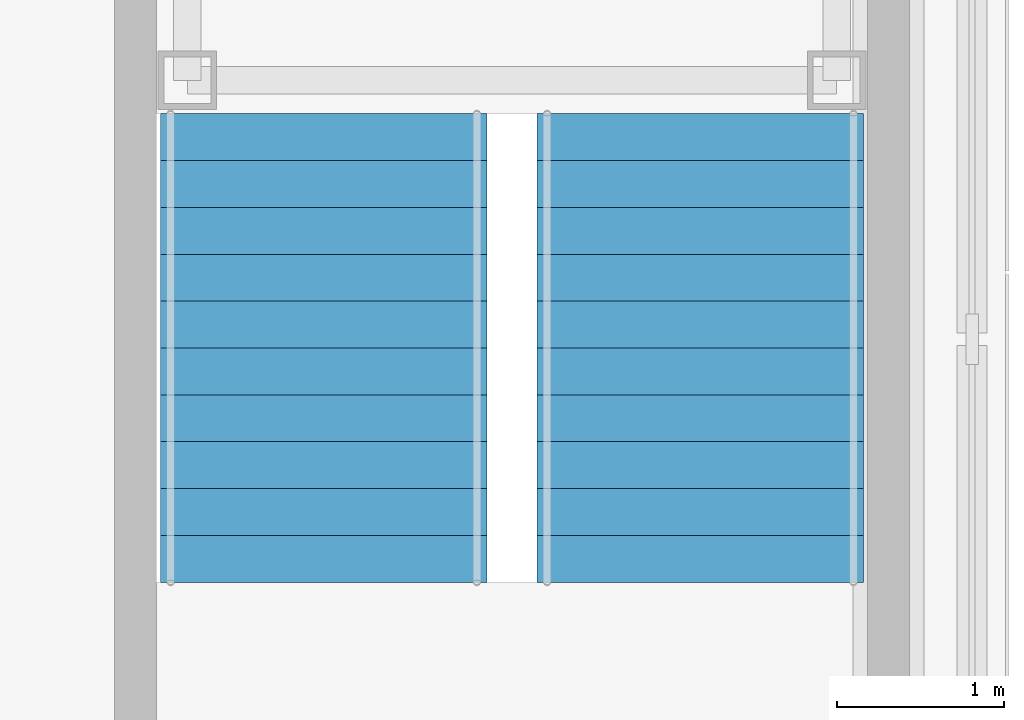
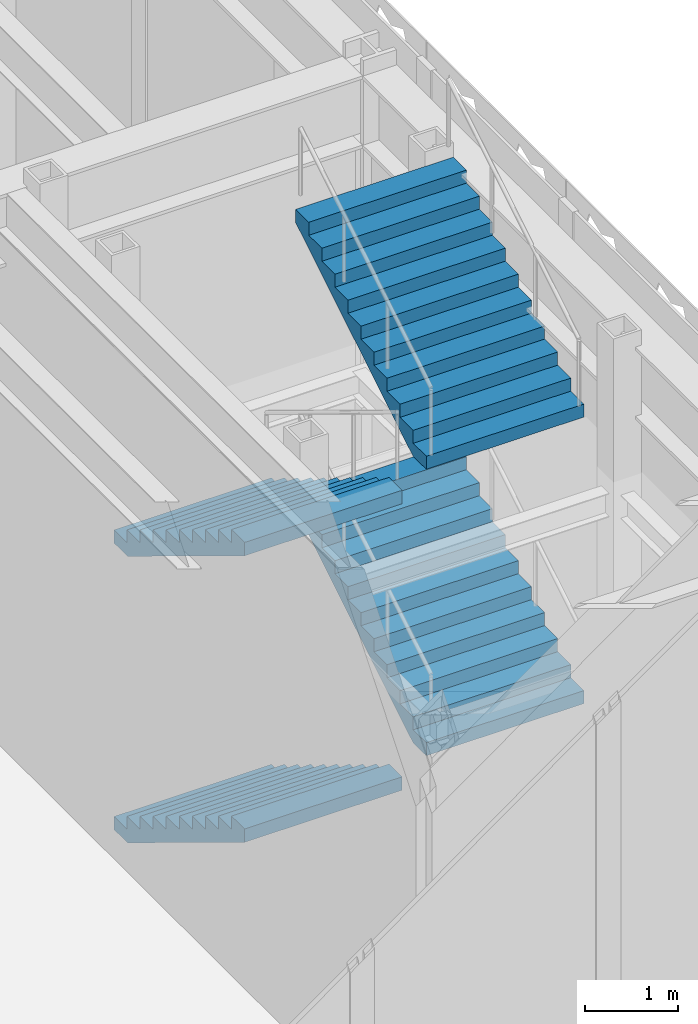
# One storey, part 19 of 34: 4 stair flights, 1 element without a shape of its own.
"""IFC4 building model written with IfcOpenShell, lengths in metres."""

import ifcopenshell
import ifcopenshell.guid

model = None  # the IFC model being written
_history = None  # IfcOwnerHistory: only IFC2X3 demands one
_inside = {}  # id of a spatial element -> (the spatial element, [elements in it])
_under = {}  # id of a project, library or spatial element -> (it, [spatial elements below it])
_declared = {}  # id of a project -> (the project, [libraries it declares])
_typed = {}  # id of a type object -> (the type object, [elements of that type])
_made_of = {}  # id of a material, layer set ... -> (it, [elements and type objects made of it])


def new_model(schema):
    """Start an empty IFC model of exactly this schema.

    Asked for "IFC4X3", IfcOpenShell would pick the latest addendum, in which some entities
    have other attributes; the version numbers below select the first issue.
    IFC2X3 requires an IfcOwnerHistory on every rooted entity: one is made here for all.
    """
    global model, _history
    if schema == "IFC4X3":
        model = ifcopenshell.file(schema_version=(4, 3, 0, 0))
    else:
        model = ifcopenshell.file(schema=schema)
    _inside.clear()
    _under.clear()
    _declared.clear()
    _typed.clear()
    _made_of.clear()
    _history = None
    if model.schema == "IFC2X3":
        org = make("IfcOrganization", Name="unknown")
        user = make(
            "IfcPersonAndOrganization",
            ThePerson=make("IfcPerson", FamilyName="unknown"),
            TheOrganization=org,
        )
        app = make(
            "IfcApplication",
            ApplicationDeveloper=org,
            Version="unknown",
            ApplicationFullName="unknown",
            ApplicationIdentifier="unknown",
        )
        _history = make(
            "IfcOwnerHistory",
            OwningUser=user,
            OwningApplication=app,
            ChangeAction="ADDED",
            CreationDate=0,
        )
    return model


def make(cls, **values):
    """One entity of the class cls with the attributes given. An attribute that is None is left unset."""
    return model.create_entity(
        cls, **{name: value for name, value in values.items() if value is not None}
    )


def rooted(cls, **values):
    """An entity with a GlobalId (a new one), such as an element, a storey or a relation."""
    return make(cls, GlobalId=ifcopenshell.guid.new(), OwnerHistory=_history, **values)


def si_unit(unit_type, name, prefix=None):
    """IfcSIUnit, for example si_unit("LENGTHUNIT", "METRE", prefix="MILLI")."""
    return make("IfcSIUnit", UnitType=unit_type, Prefix=prefix, Name=name)


def assignment(units):
    """IfcUnitAssignment: the units of a project."""
    return None if units is None else make("IfcUnitAssignment", Units=units)


def point(xyz):
    """IfcCartesianPoint."""
    return None if xyz is None else make("IfcCartesianPoint", Coordinates=xyz)


def direction(xyz):
    """IfcDirection."""
    return None if xyz is None else make("IfcDirection", DirectionRatios=xyz)


def frame(location, z_axis=None, x_axis=None):
    """IfcAxis2Placement3D, a coordinate frame: its origin and axes. An axis left out is left unset."""
    return make(
        "IfcAxis2Placement3D",
        Location=point(location),
        Axis=direction(z_axis),
        RefDirection=direction(x_axis),
    )


def origin():
    """The frame at (0, 0, 0) with its axes left unset."""
    return frame((0.0, 0.0, 0.0))


def place(relative_to, where):
    """IfcLocalPlacement: puts the frame where relative to a parent placement (None: the world)."""
    return make(
        "IfcLocalPlacement", PlacementRelTo=relative_to, RelativePlacement=where
    )


def context(
    kind, dimensions, precision=None, world=None, true_north=None, identifier=None
):
    """IfcGeometricRepresentationContext, for example the 3D "Model" context."""
    return make(
        "IfcGeometricRepresentationContext",
        ContextIdentifier=identifier,
        ContextType=kind,
        CoordinateSpaceDimension=dimensions,
        Precision=precision,
        WorldCoordinateSystem=world,
        TrueNorth=true_north,
    )


def subcontext(parent, identifier, kind, view, scale=None):
    """IfcGeometricRepresentationSubContext, for example "Body" below "Model"."""
    return make(
        "IfcGeometricRepresentationSubContext",
        ContextIdentifier=identifier,
        ContextType=kind,
        ParentContext=parent,
        TargetScale=scale,
        TargetView=view,
    )


def project(units=None, contexts=None):
    """IfcProject with its units and contexts."""
    return rooted(
        "IfcProject",
        Name="project",
        RepresentationContexts=contexts,
        UnitsInContext=assignment(units),
    )


def spatial(cls, under=None, at=None, **own):
    """A site, building, storey or space (cls), placed at a placement, below another one or the project."""
    s = rooted(cls, ObjectPlacement=at, **own)
    if under is not None:
        _under.setdefault(under.id(), (under, []))[1].append(s)
    return s


def faces_of(points, faces, orient=None, outer=None):
    """IfcFace entities. A face is a list of loops; a loop is a list of indices into points, from 0.

    orient and outer hold one flag for each loop. By default every Orientation is true, the
    first loop of a face is its IfcFaceOuterBound and the others are IfcFaceBound.
    """
    made = []
    for i, loops in enumerate(faces):
        bounds = []
        for j, loop in enumerate(loops):
            is_outer = j == 0 if outer is None else outer[i][j]
            bounds.append(
                make(
                    "IfcFaceOuterBound" if is_outer else "IfcFaceBound",
                    Bound=make("IfcPolyLoop", Polygon=[points[k] for k in loop]),
                    Orientation=True if orient is None else orient[i][j],
                )
            )
        made.append(make("IfcFace", Bounds=bounds))
    return made


def faceted_brep(points, faces, orient=None, outer=None, voids=None):
    """IfcFacetedBrep: a solid bounded by flat faces; with voids (closed shells), ...WithVoids."""
    shared = [point(p) for p in points]
    hull = make("IfcClosedShell", CfsFaces=faces_of(shared, faces, orient, outer))
    if voids is None:
        return make("IfcFacetedBrep", Outer=hull)
    return make(
        "IfcFacetedBrepWithVoids",
        Outer=hull,
        Voids=[
            make(cls, CfsFaces=faces_of(shared, fs, o, b)) for cls, fs, o, b in voids
        ],
    )


def shape(context_of_items, identifier, shape_type, items):
    """IfcShapeRepresentation: the items that make up one representation, for example the "Body"."""
    return make(
        "IfcShapeRepresentation",
        ContextOfItems=context_of_items,
        RepresentationIdentifier=identifier,
        RepresentationType=shape_type,
        Items=items,
    )


def material(Name=None, Category=None):
    """IfcMaterial."""
    return make("IfcMaterial", Name=Name, Category=Category)


def made_of(thing, what):
    """Note that an element or type object is made of a material, layer set ...; save() writes the relation."""
    if what is not None:
        _made_of.setdefault(what.id(), (what, []))[1].append(thing)
    return thing


def type_object(cls, material=None, **own):
    """A type object (cls), such as IfcWallType, which elements share."""
    return made_of(rooted(cls, **own), material)


def element(
    cls,
    number,
    at=None,
    inside=None,
    cuts=None,
    type_object=None,
    material=None,
    context=None,
    identifier="Body",
    shape_type=None,
    held_by="IfcProductDefinitionShape",
    body=None,
    shapes=None,
    **own,
):
    """One element of the class cls, such as IfcWall. Its Tag is "e" and its number.

    at: its placement. inside: the storey or other place that contains it. cuts: it is an
    opening in that element (IfcRelVoidsElement). A single representation is given by context,
    identifier, shape_type and body (its items); several are given by shapes. held_by: the class
    of the entity that holds the representations. save() writes the other relations.
    """
    e = rooted(cls, Tag="e%d" % number, ObjectPlacement=at, **own)
    if body is not None:
        shapes = [shape(context, identifier, shape_type, body)]
    if shapes is not None:
        e.Representation = make(held_by, Representations=shapes)
    if inside is not None:
        _inside.setdefault(inside.id(), (inside, []))[1].append(e)
    if cuts is not None:
        rooted(
            "IfcRelVoidsElement", RelatingBuildingElement=cuts, RelatedOpeningElement=e
        )
    if type_object is not None:
        _typed.setdefault(type_object.id(), (type_object, []))[1].append(e)
    return made_of(e, material)


def aggregate(whole, parts):
    """IfcRelAggregates: a whole, such as a stair, and the parts it consists of."""
    return rooted("IfcRelAggregates", RelatingObject=whole, RelatedObjects=parts)


def save(model, path):
    """Write the relations noted so far, then the file.

    IfcRelAggregates (storeys below a building ...), IfcRelContainedInSpatialStructure (elements
    in a storey), IfcRelDefinesByType, IfcRelAssociatesMaterial and IfcRelDeclares: one each for
    every whole, place, type object, material and project.
    """
    for whole, parts in _under.values():
        aggregate(whole, parts)
    for where, things in _inside.values():
        rooted(
            "IfcRelContainedInSpatialStructure",
            RelatedElements=things,
            RelatingStructure=where,
        )
    for kind, things in _typed.values():
        rooted("IfcRelDefinesByType", RelatedObjects=things, RelatingType=kind)
    for what, things in _made_of.values():
        rooted("IfcRelAssociatesMaterial", RelatedObjects=things, RelatingMaterial=what)
    for by, libraries in _declared.values():
        rooted("IfcRelDeclares", RelatingContext=by, RelatedDefinitions=libraries)
    model.write(path)


model = new_model("IFC4")

# Units and contexts
model_context = context("Model", 3, precision=1e-05, world=origin(), true_north=direction((0.0, 1.0)))
body_context = subcontext(model_context, "Body", "Model", "MODEL_VIEW")
ifc_project = project(units=[si_unit("LENGTHUNIT", "METRE"), si_unit("AREAUNIT", "SQUARE_METRE"), si_unit("VOLUMEUNIT", "CUBIC_METRE"), si_unit("PLANEANGLEUNIT", "RADIAN"), si_unit("MASSUNIT", "GRAM", prefix="KILO")], contexts=[model_context])

# Site, building, storey
site_placement = place(None, origin())
site = spatial("IfcSite", under=ifc_project, at=site_placement, CompositionType="ELEMENT")
building_placement = place(site_placement, origin())
building = spatial("IfcBuilding", under=site, at=building_placement, Name="Chuquiago Exchange Tower", CompositionType="ELEMENT")
storey_placement = place(building_placement, frame((0.0, 0.0, 6.0)))
storey = spatial("IfcBuildingStorey", under=building, at=storey_placement, Name="L01", CompositionType="ELEMENT", Elevation=6.0)

# Stair, stair flights
ifc_material_1 = material(Name="Concrete C30/37, precast", Category="concrete")
stair_type = type_object("IfcStairType", Name="PS2 double half-turn stair 7500", PredefinedType="DOUBLE_RETURN_STAIR", material=ifc_material_1)
stair_placement = place(storey_placement, origin())
stair = element("IfcStair", 1, at=stair_placement, inside=storey, type_object=stair_type, Name="Stair PS2 L01", PredefinedType="DOUBLE_RETURN_STAIR")
ifc_material_2 = material(Name="Concrete C30/37, precast", Category="concrete")
stair_flight_type = type_object("IfcStairFlightType", Name="ST-F flight 1950 for 7500 storey", PredefinedType="STRAIGHT", material=ifc_material_2)
stair_flight_1_placement = place(storey_placement, frame((50.625, -11.050048828125, 0.0), z_axis=(0.0, 0.0, 1.0), x_axis=(0.0, -1.0, 0.0)))
stair_flight_1 = element("IfcStairFlight", 2, at=stair_flight_1_placement, type_object=stair_flight_type, Name="PS2 flight 1", NumberOfRisers=11, NumberOfTreads=10, PredefinedType="STRAIGHT", RiserHeight=0.170454545, TreadLength=0.28, context=body_context, shape_type="Brep", body=[
    faceted_brep([(0.0, 0.97509765625, 0.0), (0.0, 0.97509765625, 0.17041015625), (0.280029296875, 0.97509765625, 0.17041015625), (0.280029296875, 0.97509765625, 0.3408203125), (0.56005859375, 0.97509765625, 0.3408203125), (0.56005859375, 0.97509765625, 0.511474609375), (0.840087890625, 0.97509765625, 0.511474609375), (0.840087890625, 0.97509765625, 0.681884765625), (1.1201171875, 0.97509765625, 0.681884765625), (1.1201171875, 0.97509765625, 0.852294921875), (1.39990234375, 0.97509765625, 0.852294921875), (1.39990234375, 0.97509765625, 1.022705078125), (1.679931640625, 0.97509765625, 1.022705078125), (1.679931640625, 0.97509765625, 1.193115234375), (1.9599609375, 0.97509765625, 1.193115234375), (1.9599609375, 0.97509765625, 1.363525390625), (2.239990234375, 0.97509765625, 1.363525390625), (2.239990234375, 0.97509765625, 1.5341796875), (2.52001953125, 0.97509765625, 1.5341796875), (2.52001953125, 0.97509765625, 1.70458984375), (2.800048828125, 0.97509765625, 1.70458984375), (2.800048828125, 0.97509765625, 1.529052734375), (0.288330078125, 0.97509765625, 0.0), (0.288330078125, -0.97509765625, 0.0), (2.800048828125, -0.97509765625, 1.529052734375), (2.800048828125, -0.97509765625, 1.70458984375), (2.52001953125, -0.97509765625, 1.70458984375), (2.52001953125, -0.97509765625, 1.5341796875), (2.239990234375, -0.97509765625, 1.5341796875), (2.239990234375, -0.97509765625, 1.363525390625), (1.9599609375, -0.97509765625, 1.363525390625), (1.9599609375, -0.97509765625, 1.193115234375), (1.679931640625, -0.97509765625, 1.193115234375), (1.679931640625, -0.97509765625, 1.022705078125), (1.39990234375, -0.97509765625, 1.022705078125), (1.39990234375, -0.97509765625, 0.852294921875), (1.1201171875, -0.97509765625, 0.852294921875), (1.1201171875, -0.97509765625, 0.681884765625), (0.840087890625, -0.97509765625, 0.681884765625), (0.840087890625, -0.97509765625, 0.511474609375), (0.56005859375, -0.97509765625, 0.511474609375), (0.56005859375, -0.97509765625, 0.3408203125), (0.280029296875, -0.97509765625, 0.3408203125), (0.280029296875, -0.97509765625, 0.17041015625), (0.0, -0.97509765625, 0.17041015625), (0.0, -0.97509765625, 0.0), (0.0, 0.487548828125, 0.0), (0.0, 0.487548828125, 0.17041015625), (0.0, 0.0, 0.0), (0.0, 0.0, 0.17041015625), (0.0, -0.487548828125, 0.0), (0.0, -0.487548828125, 0.17041015625), (0.280029296875, 0.487548828125, 0.17041015625), (0.280029296875, 0.0, 0.17041015625), (0.280029296875, -0.487548828125, 0.17041015625), (0.280029296875, 0.487548828125, 0.3408203125), (0.280029296875, 0.0, 0.3408203125), (0.280029296875, -0.487548828125, 0.3408203125), (0.56005859375, 0.487548828125, 0.3408203125), (0.56005859375, 0.0, 0.3408203125), (0.56005859375, -0.487548828125, 0.3408203125), (0.56005859375, 0.487548828125, 0.511474609375), (0.56005859375, 0.0, 0.511474609375), (0.56005859375, -0.487548828125, 0.511474609375), (0.840087890625, 0.487548828125, 0.511474609375), (0.840087890625, 0.0, 0.511474609375), (0.840087890625, -0.487548828125, 0.511474609375), (0.840087890625, 0.487548828125, 0.681884765625), (0.840087890625, 0.0, 0.681884765625), (0.840087890625, -0.487548828125, 0.681884765625), (1.1201171875, 0.487548828125, 0.681884765625), (1.1201171875, 0.0, 0.681884765625), (1.1201171875, -0.487548828125, 0.681884765625), (1.1201171875, 0.487548828125, 0.852294921875), (1.1201171875, 0.0, 0.852294921875), (1.1201171875, -0.487548828125, 0.852294921875), (1.39990234375, 0.487548828125, 0.852294921875), (1.39990234375, 0.0, 0.852294921875), (1.39990234375, -0.487548828125, 0.852294921875), (1.39990234375, 0.487548828125, 1.022705078125), (1.39990234375, 0.0, 1.022705078125), (1.39990234375, -0.487548828125, 1.022705078125), (1.679931640625, 0.487548828125, 1.022705078125), (1.679931640625, 0.0, 1.022705078125), (1.679931640625, -0.487548828125, 1.022705078125), (1.679931640625, 0.487548828125, 1.193115234375), (1.679931640625, 0.0, 1.193115234375), (1.679931640625, -0.487548828125, 1.193115234375), (1.9599609375, 0.487548828125, 1.193115234375), (1.9599609375, 0.0, 1.193115234375), (1.9599609375, -0.487548828125, 1.193115234375), (1.9599609375, 0.487548828125, 1.363525390625), (1.9599609375, 0.0, 1.363525390625), (1.9599609375, -0.487548828125, 1.363525390625), (2.239990234375, 0.487548828125, 1.363525390625), (2.239990234375, 0.0, 1.363525390625), (2.239990234375, -0.487548828125, 1.363525390625), (2.239990234375, 0.487548828125, 1.5341796875), (2.239990234375, 0.0, 1.5341796875), (2.239990234375, -0.487548828125, 1.5341796875), (2.52001953125, 0.487548828125, 1.5341796875), (2.52001953125, 0.0, 1.5341796875), (2.52001953125, -0.487548828125, 1.5341796875), (2.52001953125, 0.487548828125, 1.70458984375), (2.52001953125, 0.0, 1.70458984375), (2.52001953125, -0.487548828125, 1.70458984375), (2.800048828125, 0.487548828125, 1.70458984375), (2.800048828125, 0.0, 1.70458984375), (2.800048828125, -0.487548828125, 1.70458984375), (2.800048828125, 0.487548828125, 1.529052734375), (2.800048828125, 0.0, 1.529052734375), (2.800048828125, -0.487548828125, 1.529052734375), (0.288330078125, 0.487548828125, 0.0), (0.288330078125, 0.0, 0.0), (0.288330078125, -0.487548828125, 0.0)], [[[0, 1, 2, 3, 4, 5, 6, 7, 8, 9, 10, 11, 12, 13, 14, 15, 16, 17, 18, 19, 20, 21, 22]], [[23, 24, 25, 26, 27, 28, 29, 30, 31, 32, 33, 34, 35, 36, 37, 38, 39, 40, 41, 42, 43, 44, 45]], [[1, 0, 46, 47]], [[47, 46, 48, 49]], [[49, 48, 50, 51]], [[51, 50, 45, 44]], [[2, 1, 47, 52]], [[52, 47, 49, 53]], [[53, 49, 51, 54]], [[54, 51, 44, 43]], [[3, 2, 52, 55]], [[55, 52, 53, 56]], [[56, 53, 54, 57]], [[57, 54, 43, 42]], [[4, 3, 55, 58]], [[58, 55, 56, 59]], [[59, 56, 57, 60]], [[60, 57, 42, 41]], [[5, 4, 58, 61]], [[61, 58, 59, 62]], [[62, 59, 60, 63]], [[63, 60, 41, 40]], [[6, 5, 61, 64]], [[64, 61, 62, 65]], [[65, 62, 63, 66]], [[66, 63, 40, 39]], [[7, 6, 64, 67]], [[67, 64, 65, 68]], [[68, 65, 66, 69]], [[69, 66, 39, 38]], [[8, 7, 67, 70]], [[70, 67, 68, 71]], [[71, 68, 69, 72]], [[72, 69, 38, 37]], [[9, 8, 70, 73]], [[73, 70, 71, 74]], [[74, 71, 72, 75]], [[75, 72, 37, 36]], [[10, 9, 73, 76]], [[76, 73, 74, 77]], [[77, 74, 75, 78]], [[78, 75, 36, 35]], [[11, 10, 76, 79]], [[79, 76, 77, 80]], [[80, 77, 78, 81]], [[81, 78, 35, 34]], [[12, 11, 79, 82]], [[82, 79, 80, 83]], [[83, 80, 81, 84]], [[84, 81, 34, 33]], [[13, 12, 82, 85]], [[85, 82, 83, 86]], [[86, 83, 84, 87]], [[87, 84, 33, 32]], [[14, 13, 85, 88]], [[88, 85, 86, 89]], [[89, 86, 87, 90]], [[90, 87, 32, 31]], [[15, 14, 88, 91]], [[91, 88, 89, 92]], [[92, 89, 90, 93]], [[93, 90, 31, 30]], [[16, 15, 91, 94]], [[94, 91, 92, 95]], [[95, 92, 93, 96]], [[96, 93, 30, 29]], [[17, 16, 94, 97]], [[97, 94, 95, 98]], [[98, 95, 96, 99]], [[99, 96, 29, 28]], [[18, 17, 97, 100]], [[100, 97, 98, 101]], [[101, 98, 99, 102]], [[102, 99, 28, 27]], [[19, 18, 100, 103]], [[103, 100, 101, 104]], [[104, 101, 102, 105]], [[105, 102, 27, 26]], [[20, 19, 103, 106]], [[106, 103, 104, 107]], [[107, 104, 105, 108]], [[108, 105, 26, 25]], [[21, 20, 106, 109]], [[109, 106, 107, 110]], [[110, 107, 108, 111]], [[111, 108, 25, 24]], [[22, 21, 109, 112]], [[112, 109, 110, 113]], [[113, 110, 111, 114]], [[114, 111, 24, 23]], [[0, 22, 112, 46]], [[46, 112, 113, 48]], [[48, 113, 114, 50]], [[50, 114, 23, 45]]]),
])
stair_flight_2_placement = place(storey_placement, frame((52.875, -13.85009765625, 1.875), z_axis=(0.0, 0.0, 1.0), x_axis=(0.0, 1.0, 0.0)))
stair_flight_2 = element("IfcStairFlight", 3, at=stair_flight_2_placement, type_object=stair_flight_type, Name="PS2 flight 2", NumberOfRisers=11, NumberOfTreads=10, PredefinedType="STRAIGHT", RiserHeight=0.170454545, TreadLength=0.28, context=body_context, shape_type="Brep", body=[
    faceted_brep([(0.0, 0.97509765625, 0.0), (0.0, 0.97509765625, 0.17041015625), (0.280029296875, 0.97509765625, 0.17041015625), (0.280029296875, 0.97509765625, 0.3408203125), (0.56005859375, 0.97509765625, 0.3408203125), (0.56005859375, 0.97509765625, 0.511474609375), (0.840087890625, 0.97509765625, 0.511474609375), (0.840087890625, 0.97509765625, 0.681884765625), (1.1201171875, 0.97509765625, 0.681884765625), (1.1201171875, 0.97509765625, 0.852294921875), (1.39990234375, 0.97509765625, 0.852294921875), (1.39990234375, 0.97509765625, 1.022705078125), (1.679931640625, 0.97509765625, 1.022705078125), (1.679931640625, 0.97509765625, 1.193115234375), (1.9599609375, 0.97509765625, 1.193115234375), (1.9599609375, 0.97509765625, 1.363525390625), (2.239990234375, 0.97509765625, 1.363525390625), (2.239990234375, 0.97509765625, 1.5341796875), (2.52001953125, 0.97509765625, 1.5341796875), (2.52001953125, 0.97509765625, 1.70458984375), (2.800048828125, 0.97509765625, 1.70458984375), (2.800048828125, 0.97509765625, 1.529052734375), (0.288330078125, 0.97509765625, 0.0), (0.288330078125, -0.97509765625, 0.0), (2.800048828125, -0.97509765625, 1.529052734375), (2.800048828125, -0.97509765625, 1.70458984375), (2.52001953125, -0.97509765625, 1.70458984375), (2.52001953125, -0.97509765625, 1.5341796875), (2.239990234375, -0.97509765625, 1.5341796875), (2.239990234375, -0.97509765625, 1.363525390625), (1.9599609375, -0.97509765625, 1.363525390625), (1.9599609375, -0.97509765625, 1.193115234375), (1.679931640625, -0.97509765625, 1.193115234375), (1.679931640625, -0.97509765625, 1.022705078125), (1.39990234375, -0.97509765625, 1.022705078125), (1.39990234375, -0.97509765625, 0.852294921875), (1.1201171875, -0.97509765625, 0.852294921875), (1.1201171875, -0.97509765625, 0.681884765625), (0.840087890625, -0.97509765625, 0.681884765625), (0.840087890625, -0.97509765625, 0.511474609375), (0.56005859375, -0.97509765625, 0.511474609375), (0.56005859375, -0.97509765625, 0.3408203125), (0.280029296875, -0.97509765625, 0.3408203125), (0.280029296875, -0.97509765625, 0.17041015625), (0.0, -0.97509765625, 0.17041015625), (0.0, -0.97509765625, 0.0), (0.0, 0.487548828125, 0.0), (0.0, 0.487548828125, 0.17041015625), (0.0, 0.0, 0.0), (0.0, 0.0, 0.17041015625), (0.0, -0.487548828125, 0.0), (0.0, -0.487548828125, 0.17041015625), (0.280029296875, 0.487548828125, 0.17041015625), (0.280029296875, 0.0, 0.17041015625), (0.280029296875, -0.487548828125, 0.17041015625), (0.280029296875, 0.487548828125, 0.3408203125), (0.280029296875, 0.0, 0.3408203125), (0.280029296875, -0.487548828125, 0.3408203125), (0.56005859375, 0.487548828125, 0.3408203125), (0.56005859375, 0.0, 0.3408203125), (0.56005859375, -0.487548828125, 0.3408203125), (0.56005859375, 0.487548828125, 0.511474609375), (0.56005859375, 0.0, 0.511474609375), (0.56005859375, -0.487548828125, 0.511474609375), (0.840087890625, 0.487548828125, 0.511474609375), (0.840087890625, 0.0, 0.511474609375), (0.840087890625, -0.487548828125, 0.511474609375), (0.840087890625, 0.487548828125, 0.681884765625), (0.840087890625, 0.0, 0.681884765625), (0.840087890625, -0.487548828125, 0.681884765625), (1.1201171875, 0.487548828125, 0.681884765625), (1.1201171875, 0.0, 0.681884765625), (1.1201171875, -0.487548828125, 0.681884765625), (1.1201171875, 0.487548828125, 0.852294921875), (1.1201171875, 0.0, 0.852294921875), (1.1201171875, -0.487548828125, 0.852294921875), (1.39990234375, 0.487548828125, 0.852294921875), (1.39990234375, 0.0, 0.852294921875), (1.39990234375, -0.487548828125, 0.852294921875), (1.39990234375, 0.487548828125, 1.022705078125), (1.39990234375, 0.0, 1.022705078125), (1.39990234375, -0.487548828125, 1.022705078125), (1.679931640625, 0.487548828125, 1.022705078125), (1.679931640625, 0.0, 1.022705078125), (1.679931640625, -0.487548828125, 1.022705078125), (1.679931640625, 0.487548828125, 1.193115234375), (1.679931640625, 0.0, 1.193115234375), (1.679931640625, -0.487548828125, 1.193115234375), (1.9599609375, 0.487548828125, 1.193115234375), (1.9599609375, 0.0, 1.193115234375), (1.9599609375, -0.487548828125, 1.193115234375), (1.9599609375, 0.487548828125, 1.363525390625), (1.9599609375, 0.0, 1.363525390625), (1.9599609375, -0.487548828125, 1.363525390625), (2.239990234375, 0.487548828125, 1.363525390625), (2.239990234375, 0.0, 1.363525390625), (2.239990234375, -0.487548828125, 1.363525390625), (2.239990234375, 0.487548828125, 1.5341796875), (2.239990234375, 0.0, 1.5341796875), (2.239990234375, -0.487548828125, 1.5341796875), (2.52001953125, 0.487548828125, 1.5341796875), (2.52001953125, 0.0, 1.5341796875), (2.52001953125, -0.487548828125, 1.5341796875), (2.52001953125, 0.487548828125, 1.70458984375), (2.52001953125, 0.0, 1.70458984375), (2.52001953125, -0.487548828125, 1.70458984375), (2.800048828125, 0.487548828125, 1.70458984375), (2.800048828125, 0.0, 1.70458984375), (2.800048828125, -0.487548828125, 1.70458984375), (2.800048828125, 0.487548828125, 1.529052734375), (2.800048828125, 0.0, 1.529052734375), (2.800048828125, -0.487548828125, 1.529052734375), (0.288330078125, 0.487548828125, 0.0), (0.288330078125, 0.0, 0.0), (0.288330078125, -0.487548828125, 0.0)], [[[0, 1, 2, 3, 4, 5, 6, 7, 8, 9, 10, 11, 12, 13, 14, 15, 16, 17, 18, 19, 20, 21, 22]], [[23, 24, 25, 26, 27, 28, 29, 30, 31, 32, 33, 34, 35, 36, 37, 38, 39, 40, 41, 42, 43, 44, 45]], [[1, 0, 46, 47]], [[47, 46, 48, 49]], [[49, 48, 50, 51]], [[51, 50, 45, 44]], [[2, 1, 47, 52]], [[52, 47, 49, 53]], [[53, 49, 51, 54]], [[54, 51, 44, 43]], [[3, 2, 52, 55]], [[55, 52, 53, 56]], [[56, 53, 54, 57]], [[57, 54, 43, 42]], [[4, 3, 55, 58]], [[58, 55, 56, 59]], [[59, 56, 57, 60]], [[60, 57, 42, 41]], [[5, 4, 58, 61]], [[61, 58, 59, 62]], [[62, 59, 60, 63]], [[63, 60, 41, 40]], [[6, 5, 61, 64]], [[64, 61, 62, 65]], [[65, 62, 63, 66]], [[66, 63, 40, 39]], [[7, 6, 64, 67]], [[67, 64, 65, 68]], [[68, 65, 66, 69]], [[69, 66, 39, 38]], [[8, 7, 67, 70]], [[70, 67, 68, 71]], [[71, 68, 69, 72]], [[72, 69, 38, 37]], [[9, 8, 70, 73]], [[73, 70, 71, 74]], [[74, 71, 72, 75]], [[75, 72, 37, 36]], [[10, 9, 73, 76]], [[76, 73, 74, 77]], [[77, 74, 75, 78]], [[78, 75, 36, 35]], [[11, 10, 76, 79]], [[79, 76, 77, 80]], [[80, 77, 78, 81]], [[81, 78, 35, 34]], [[12, 11, 79, 82]], [[82, 79, 80, 83]], [[83, 80, 81, 84]], [[84, 81, 34, 33]], [[13, 12, 82, 85]], [[85, 82, 83, 86]], [[86, 83, 84, 87]], [[87, 84, 33, 32]], [[14, 13, 85, 88]], [[88, 85, 86, 89]], [[89, 86, 87, 90]], [[90, 87, 32, 31]], [[15, 14, 88, 91]], [[91, 88, 89, 92]], [[92, 89, 90, 93]], [[93, 90, 31, 30]], [[16, 15, 91, 94]], [[94, 91, 92, 95]], [[95, 92, 93, 96]], [[96, 93, 30, 29]], [[17, 16, 94, 97]], [[97, 94, 95, 98]], [[98, 95, 96, 99]], [[99, 96, 29, 28]], [[18, 17, 97, 100]], [[100, 97, 98, 101]], [[101, 98, 99, 102]], [[102, 99, 28, 27]], [[19, 18, 100, 103]], [[103, 100, 101, 104]], [[104, 101, 102, 105]], [[105, 102, 27, 26]], [[20, 19, 103, 106]], [[106, 103, 104, 107]], [[107, 104, 105, 108]], [[108, 105, 26, 25]], [[21, 20, 106, 109]], [[109, 106, 107, 110]], [[110, 107, 108, 111]], [[111, 108, 25, 24]], [[22, 21, 109, 112]], [[112, 109, 110, 113]], [[113, 110, 111, 114]], [[114, 111, 24, 23]], [[0, 22, 112, 46]], [[46, 112, 113, 48]], [[48, 113, 114, 50]], [[50, 114, 23, 45]]]),
])
stair_flight_3_placement = place(storey_placement, frame((50.625, -11.050048828125, 3.75), z_axis=(0.0, 0.0, 1.0), x_axis=(0.0, -1.0, 0.0)))
stair_flight_3 = element("IfcStairFlight", 4, at=stair_flight_3_placement, type_object=stair_flight_type, Name="PS2 flight 3", NumberOfRisers=11, NumberOfTreads=10, PredefinedType="STRAIGHT", RiserHeight=0.170454545, TreadLength=0.28, context=body_context, shape_type="Brep", body=[
    faceted_brep([(0.0, 0.97509765625, 0.0), (0.0, 0.97509765625, 0.17041015625), (0.280029296875, 0.97509765625, 0.17041015625), (0.280029296875, 0.97509765625, 0.3408203125), (0.56005859375, 0.97509765625, 0.3408203125), (0.56005859375, 0.97509765625, 0.511474609375), (0.840087890625, 0.97509765625, 0.511474609375), (0.840087890625, 0.97509765625, 0.681884765625), (1.1201171875, 0.97509765625, 0.681884765625), (1.1201171875, 0.97509765625, 0.852294921875), (1.39990234375, 0.97509765625, 0.852294921875), (1.39990234375, 0.97509765625, 1.022705078125), (1.679931640625, 0.97509765625, 1.022705078125), (1.679931640625, 0.97509765625, 1.193115234375), (1.9599609375, 0.97509765625, 1.193115234375), (1.9599609375, 0.97509765625, 1.363525390625), (2.239990234375, 0.97509765625, 1.363525390625), (2.239990234375, 0.97509765625, 1.5341796875), (2.52001953125, 0.97509765625, 1.5341796875), (2.52001953125, 0.97509765625, 1.70458984375), (2.800048828125, 0.97509765625, 1.70458984375), (2.800048828125, 0.97509765625, 1.529052734375), (0.288330078125, 0.97509765625, 0.0), (0.288330078125, -0.97509765625, 0.0), (2.800048828125, -0.97509765625, 1.529052734375), (2.800048828125, -0.97509765625, 1.70458984375), (2.52001953125, -0.97509765625, 1.70458984375), (2.52001953125, -0.97509765625, 1.5341796875), (2.239990234375, -0.97509765625, 1.5341796875), (2.239990234375, -0.97509765625, 1.363525390625), (1.9599609375, -0.97509765625, 1.363525390625), (1.9599609375, -0.97509765625, 1.193115234375), (1.679931640625, -0.97509765625, 1.193115234375), (1.679931640625, -0.97509765625, 1.022705078125), (1.39990234375, -0.97509765625, 1.022705078125), (1.39990234375, -0.97509765625, 0.852294921875), (1.1201171875, -0.97509765625, 0.852294921875), (1.1201171875, -0.97509765625, 0.681884765625), (0.840087890625, -0.97509765625, 0.681884765625), (0.840087890625, -0.97509765625, 0.511474609375), (0.56005859375, -0.97509765625, 0.511474609375), (0.56005859375, -0.97509765625, 0.3408203125), (0.280029296875, -0.97509765625, 0.3408203125), (0.280029296875, -0.97509765625, 0.17041015625), (0.0, -0.97509765625, 0.17041015625), (0.0, -0.97509765625, 0.0), (0.0, 0.487548828125, 0.0), (0.0, 0.487548828125, 0.17041015625), (0.0, 0.0, 0.0), (0.0, 0.0, 0.17041015625), (0.0, -0.487548828125, 0.0), (0.0, -0.487548828125, 0.17041015625), (0.280029296875, 0.487548828125, 0.17041015625), (0.280029296875, 0.0, 0.17041015625), (0.280029296875, -0.487548828125, 0.17041015625), (0.280029296875, 0.487548828125, 0.3408203125), (0.280029296875, 0.0, 0.3408203125), (0.280029296875, -0.487548828125, 0.3408203125), (0.56005859375, 0.487548828125, 0.3408203125), (0.56005859375, 0.0, 0.3408203125), (0.56005859375, -0.487548828125, 0.3408203125), (0.56005859375, 0.487548828125, 0.511474609375), (0.56005859375, 0.0, 0.511474609375), (0.56005859375, -0.487548828125, 0.511474609375), (0.840087890625, 0.487548828125, 0.511474609375), (0.840087890625, 0.0, 0.511474609375), (0.840087890625, -0.487548828125, 0.511474609375), (0.840087890625, 0.487548828125, 0.681884765625), (0.840087890625, 0.0, 0.681884765625), (0.840087890625, -0.487548828125, 0.681884765625), (1.1201171875, 0.487548828125, 0.681884765625), (1.1201171875, 0.0, 0.681884765625), (1.1201171875, -0.487548828125, 0.681884765625), (1.1201171875, 0.487548828125, 0.852294921875), (1.1201171875, 0.0, 0.852294921875), (1.1201171875, -0.487548828125, 0.852294921875), (1.39990234375, 0.487548828125, 0.852294921875), (1.39990234375, 0.0, 0.852294921875), (1.39990234375, -0.487548828125, 0.852294921875), (1.39990234375, 0.487548828125, 1.022705078125), (1.39990234375, 0.0, 1.022705078125), (1.39990234375, -0.487548828125, 1.022705078125), (1.679931640625, 0.487548828125, 1.022705078125), (1.679931640625, 0.0, 1.022705078125), (1.679931640625, -0.487548828125, 1.022705078125), (1.679931640625, 0.487548828125, 1.193115234375), (1.679931640625, 0.0, 1.193115234375), (1.679931640625, -0.487548828125, 1.193115234375), (1.9599609375, 0.487548828125, 1.193115234375), (1.9599609375, 0.0, 1.193115234375), (1.9599609375, -0.487548828125, 1.193115234375), (1.9599609375, 0.487548828125, 1.363525390625), (1.9599609375, 0.0, 1.363525390625), (1.9599609375, -0.487548828125, 1.363525390625), (2.239990234375, 0.487548828125, 1.363525390625), (2.239990234375, 0.0, 1.363525390625), (2.239990234375, -0.487548828125, 1.363525390625), (2.239990234375, 0.487548828125, 1.5341796875), (2.239990234375, 0.0, 1.5341796875), (2.239990234375, -0.487548828125, 1.5341796875), (2.52001953125, 0.487548828125, 1.5341796875), (2.52001953125, 0.0, 1.5341796875), (2.52001953125, -0.487548828125, 1.5341796875), (2.52001953125, 0.487548828125, 1.70458984375), (2.52001953125, 0.0, 1.70458984375), (2.52001953125, -0.487548828125, 1.70458984375), (2.800048828125, 0.487548828125, 1.70458984375), (2.800048828125, 0.0, 1.70458984375), (2.800048828125, -0.487548828125, 1.70458984375), (2.800048828125, 0.487548828125, 1.529052734375), (2.800048828125, 0.0, 1.529052734375), (2.800048828125, -0.487548828125, 1.529052734375), (0.288330078125, 0.487548828125, 0.0), (0.288330078125, 0.0, 0.0), (0.288330078125, -0.487548828125, 0.0)], [[[0, 1, 2, 3, 4, 5, 6, 7, 8, 9, 10, 11, 12, 13, 14, 15, 16, 17, 18, 19, 20, 21, 22]], [[23, 24, 25, 26, 27, 28, 29, 30, 31, 32, 33, 34, 35, 36, 37, 38, 39, 40, 41, 42, 43, 44, 45]], [[1, 0, 46, 47]], [[47, 46, 48, 49]], [[49, 48, 50, 51]], [[51, 50, 45, 44]], [[2, 1, 47, 52]], [[52, 47, 49, 53]], [[53, 49, 51, 54]], [[54, 51, 44, 43]], [[3, 2, 52, 55]], [[55, 52, 53, 56]], [[56, 53, 54, 57]], [[57, 54, 43, 42]], [[4, 3, 55, 58]], [[58, 55, 56, 59]], [[59, 56, 57, 60]], [[60, 57, 42, 41]], [[5, 4, 58, 61]], [[61, 58, 59, 62]], [[62, 59, 60, 63]], [[63, 60, 41, 40]], [[6, 5, 61, 64]], [[64, 61, 62, 65]], [[65, 62, 63, 66]], [[66, 63, 40, 39]], [[7, 6, 64, 67]], [[67, 64, 65, 68]], [[68, 65, 66, 69]], [[69, 66, 39, 38]], [[8, 7, 67, 70]], [[70, 67, 68, 71]], [[71, 68, 69, 72]], [[72, 69, 38, 37]], [[9, 8, 70, 73]], [[73, 70, 71, 74]], [[74, 71, 72, 75]], [[75, 72, 37, 36]], [[10, 9, 73, 76]], [[76, 73, 74, 77]], [[77, 74, 75, 78]], [[78, 75, 36, 35]], [[11, 10, 76, 79]], [[79, 76, 77, 80]], [[80, 77, 78, 81]], [[81, 78, 35, 34]], [[12, 11, 79, 82]], [[82, 79, 80, 83]], [[83, 80, 81, 84]], [[84, 81, 34, 33]], [[13, 12, 82, 85]], [[85, 82, 83, 86]], [[86, 83, 84, 87]], [[87, 84, 33, 32]], [[14, 13, 85, 88]], [[88, 85, 86, 89]], [[89, 86, 87, 90]], [[90, 87, 32, 31]], [[15, 14, 88, 91]], [[91, 88, 89, 92]], [[92, 89, 90, 93]], [[93, 90, 31, 30]], [[16, 15, 91, 94]], [[94, 91, 92, 95]], [[95, 92, 93, 96]], [[96, 93, 30, 29]], [[17, 16, 94, 97]], [[97, 94, 95, 98]], [[98, 95, 96, 99]], [[99, 96, 29, 28]], [[18, 17, 97, 100]], [[100, 97, 98, 101]], [[101, 98, 99, 102]], [[102, 99, 28, 27]], [[19, 18, 100, 103]], [[103, 100, 101, 104]], [[104, 101, 102, 105]], [[105, 102, 27, 26]], [[20, 19, 103, 106]], [[106, 103, 104, 107]], [[107, 104, 105, 108]], [[108, 105, 26, 25]], [[21, 20, 106, 109]], [[109, 106, 107, 110]], [[110, 107, 108, 111]], [[111, 108, 25, 24]], [[22, 21, 109, 112]], [[112, 109, 110, 113]], [[113, 110, 111, 114]], [[114, 111, 24, 23]], [[0, 22, 112, 46]], [[46, 112, 113, 48]], [[48, 113, 114, 50]], [[50, 114, 23, 45]]]),
])
stair_flight_4_placement = place(storey_placement, frame((52.875, -13.85009765625, 5.625), z_axis=(0.0, 0.0, 1.0), x_axis=(0.0, 1.0, 0.0)))
stair_flight_4 = element("IfcStairFlight", 5, at=stair_flight_4_placement, type_object=stair_flight_type, Name="PS2 flight 4", NumberOfRisers=11, NumberOfTreads=10, PredefinedType="STRAIGHT", RiserHeight=0.170454545, TreadLength=0.28, context=body_context, shape_type="Brep", body=[
    faceted_brep([(0.0, 0.97509765625, 0.0), (0.0, 0.97509765625, 0.17041015625), (0.280029296875, 0.97509765625, 0.17041015625), (0.280029296875, 0.97509765625, 0.3408203125), (0.56005859375, 0.97509765625, 0.3408203125), (0.56005859375, 0.97509765625, 0.511474609375), (0.840087890625, 0.97509765625, 0.511474609375), (0.840087890625, 0.97509765625, 0.681884765625), (1.1201171875, 0.97509765625, 0.681884765625), (1.1201171875, 0.97509765625, 0.852294921875), (1.39990234375, 0.97509765625, 0.852294921875), (1.39990234375, 0.97509765625, 1.022705078125), (1.679931640625, 0.97509765625, 1.022705078125), (1.679931640625, 0.97509765625, 1.193115234375), (1.9599609375, 0.97509765625, 1.193115234375), (1.9599609375, 0.97509765625, 1.363525390625), (2.239990234375, 0.97509765625, 1.363525390625), (2.239990234375, 0.97509765625, 1.5341796875), (2.52001953125, 0.97509765625, 1.5341796875), (2.52001953125, 0.97509765625, 1.70458984375), (2.800048828125, 0.97509765625, 1.70458984375), (2.800048828125, 0.97509765625, 1.529052734375), (0.288330078125, 0.97509765625, 0.0), (0.288330078125, -0.97509765625, 0.0), (2.800048828125, -0.97509765625, 1.529052734375), (2.800048828125, -0.97509765625, 1.70458984375), (2.52001953125, -0.97509765625, 1.70458984375), (2.52001953125, -0.97509765625, 1.5341796875), (2.239990234375, -0.97509765625, 1.5341796875), (2.239990234375, -0.97509765625, 1.363525390625), (1.9599609375, -0.97509765625, 1.363525390625), (1.9599609375, -0.97509765625, 1.193115234375), (1.679931640625, -0.97509765625, 1.193115234375), (1.679931640625, -0.97509765625, 1.022705078125), (1.39990234375, -0.97509765625, 1.022705078125), (1.39990234375, -0.97509765625, 0.852294921875), (1.1201171875, -0.97509765625, 0.852294921875), (1.1201171875, -0.97509765625, 0.681884765625), (0.840087890625, -0.97509765625, 0.681884765625), (0.840087890625, -0.97509765625, 0.511474609375), (0.56005859375, -0.97509765625, 0.511474609375), (0.56005859375, -0.97509765625, 0.3408203125), (0.280029296875, -0.97509765625, 0.3408203125), (0.280029296875, -0.97509765625, 0.17041015625), (0.0, -0.97509765625, 0.17041015625), (0.0, -0.97509765625, 0.0), (0.0, 0.487548828125, 0.0), (0.0, 0.487548828125, 0.17041015625), (0.0, 0.0, 0.0), (0.0, 0.0, 0.17041015625), (0.0, -0.487548828125, 0.0), (0.0, -0.487548828125, 0.17041015625), (0.280029296875, 0.487548828125, 0.17041015625), (0.280029296875, 0.0, 0.17041015625), (0.280029296875, -0.487548828125, 0.17041015625), (0.280029296875, 0.487548828125, 0.3408203125), (0.280029296875, 0.0, 0.3408203125), (0.280029296875, -0.487548828125, 0.3408203125), (0.56005859375, 0.487548828125, 0.3408203125), (0.56005859375, 0.0, 0.3408203125), (0.56005859375, -0.487548828125, 0.3408203125), (0.56005859375, 0.487548828125, 0.511474609375), (0.56005859375, 0.0, 0.511474609375), (0.56005859375, -0.487548828125, 0.511474609375), (0.840087890625, 0.487548828125, 0.511474609375), (0.840087890625, 0.0, 0.511474609375), (0.840087890625, -0.487548828125, 0.511474609375), (0.840087890625, 0.487548828125, 0.681884765625), (0.840087890625, 0.0, 0.681884765625), (0.840087890625, -0.487548828125, 0.681884765625), (1.1201171875, 0.487548828125, 0.681884765625), (1.1201171875, 0.0, 0.681884765625), (1.1201171875, -0.487548828125, 0.681884765625), (1.1201171875, 0.487548828125, 0.852294921875), (1.1201171875, 0.0, 0.852294921875), (1.1201171875, -0.487548828125, 0.852294921875), (1.39990234375, 0.487548828125, 0.852294921875), (1.39990234375, 0.0, 0.852294921875), (1.39990234375, -0.487548828125, 0.852294921875), (1.39990234375, 0.487548828125, 1.022705078125), (1.39990234375, 0.0, 1.022705078125), (1.39990234375, -0.487548828125, 1.022705078125), (1.679931640625, 0.487548828125, 1.022705078125), (1.679931640625, 0.0, 1.022705078125), (1.679931640625, -0.487548828125, 1.022705078125), (1.679931640625, 0.487548828125, 1.193115234375), (1.679931640625, 0.0, 1.193115234375), (1.679931640625, -0.487548828125, 1.193115234375), (1.9599609375, 0.487548828125, 1.193115234375), (1.9599609375, 0.0, 1.193115234375), (1.9599609375, -0.487548828125, 1.193115234375), (1.9599609375, 0.487548828125, 1.363525390625), (1.9599609375, 0.0, 1.363525390625), (1.9599609375, -0.487548828125, 1.363525390625), (2.239990234375, 0.487548828125, 1.363525390625), (2.239990234375, 0.0, 1.363525390625), (2.239990234375, -0.487548828125, 1.363525390625), (2.239990234375, 0.487548828125, 1.5341796875), (2.239990234375, 0.0, 1.5341796875), (2.239990234375, -0.487548828125, 1.5341796875), (2.52001953125, 0.487548828125, 1.5341796875), (2.52001953125, 0.0, 1.5341796875), (2.52001953125, -0.487548828125, 1.5341796875), (2.52001953125, 0.487548828125, 1.70458984375), (2.52001953125, 0.0, 1.70458984375), (2.52001953125, -0.487548828125, 1.70458984375), (2.800048828125, 0.487548828125, 1.70458984375), (2.800048828125, 0.0, 1.70458984375), (2.800048828125, -0.487548828125, 1.70458984375), (2.800048828125, 0.487548828125, 1.529052734375), (2.800048828125, 0.0, 1.529052734375), (2.800048828125, -0.487548828125, 1.529052734375), (0.288330078125, 0.487548828125, 0.0), (0.288330078125, 0.0, 0.0), (0.288330078125, -0.487548828125, 0.0)], [[[0, 1, 2, 3, 4, 5, 6, 7, 8, 9, 10, 11, 12, 13, 14, 15, 16, 17, 18, 19, 20, 21, 22]], [[23, 24, 25, 26, 27, 28, 29, 30, 31, 32, 33, 34, 35, 36, 37, 38, 39, 40, 41, 42, 43, 44, 45]], [[1, 0, 46, 47]], [[47, 46, 48, 49]], [[49, 48, 50, 51]], [[51, 50, 45, 44]], [[2, 1, 47, 52]], [[52, 47, 49, 53]], [[53, 49, 51, 54]], [[54, 51, 44, 43]], [[3, 2, 52, 55]], [[55, 52, 53, 56]], [[56, 53, 54, 57]], [[57, 54, 43, 42]], [[4, 3, 55, 58]], [[58, 55, 56, 59]], [[59, 56, 57, 60]], [[60, 57, 42, 41]], [[5, 4, 58, 61]], [[61, 58, 59, 62]], [[62, 59, 60, 63]], [[63, 60, 41, 40]], [[6, 5, 61, 64]], [[64, 61, 62, 65]], [[65, 62, 63, 66]], [[66, 63, 40, 39]], [[7, 6, 64, 67]], [[67, 64, 65, 68]], [[68, 65, 66, 69]], [[69, 66, 39, 38]], [[8, 7, 67, 70]], [[70, 67, 68, 71]], [[71, 68, 69, 72]], [[72, 69, 38, 37]], [[9, 8, 70, 73]], [[73, 70, 71, 74]], [[74, 71, 72, 75]], [[75, 72, 37, 36]], [[10, 9, 73, 76]], [[76, 73, 74, 77]], [[77, 74, 75, 78]], [[78, 75, 36, 35]], [[11, 10, 76, 79]], [[79, 76, 77, 80]], [[80, 77, 78, 81]], [[81, 78, 35, 34]], [[12, 11, 79, 82]], [[82, 79, 80, 83]], [[83, 80, 81, 84]], [[84, 81, 34, 33]], [[13, 12, 82, 85]], [[85, 82, 83, 86]], [[86, 83, 84, 87]], [[87, 84, 33, 32]], [[14, 13, 85, 88]], [[88, 85, 86, 89]], [[89, 86, 87, 90]], [[90, 87, 32, 31]], [[15, 14, 88, 91]], [[91, 88, 89, 92]], [[92, 89, 90, 93]], [[93, 90, 31, 30]], [[16, 15, 91, 94]], [[94, 91, 92, 95]], [[95, 92, 93, 96]], [[96, 93, 30, 29]], [[17, 16, 94, 97]], [[97, 94, 95, 98]], [[98, 95, 96, 99]], [[99, 96, 29, 28]], [[18, 17, 97, 100]], [[100, 97, 98, 101]], [[101, 98, 99, 102]], [[102, 99, 28, 27]], [[19, 18, 100, 103]], [[103, 100, 101, 104]], [[104, 101, 102, 105]], [[105, 102, 27, 26]], [[20, 19, 103, 106]], [[106, 103, 104, 107]], [[107, 104, 105, 108]], [[108, 105, 26, 25]], [[21, 20, 106, 109]], [[109, 106, 107, 110]], [[110, 107, 108, 111]], [[111, 108, 25, 24]], [[22, 21, 109, 112]], [[112, 109, 110, 113]], [[113, 110, 111, 114]], [[114, 111, 24, 23]], [[0, 22, 112, 46]], [[46, 112, 113, 48]], [[48, 113, 114, 50]], [[50, 114, 23, 45]]]),
])
aggregate(stair, [stair_flight_1, stair_flight_2, stair_flight_3, stair_flight_4])

save(model, "model.ifc")
